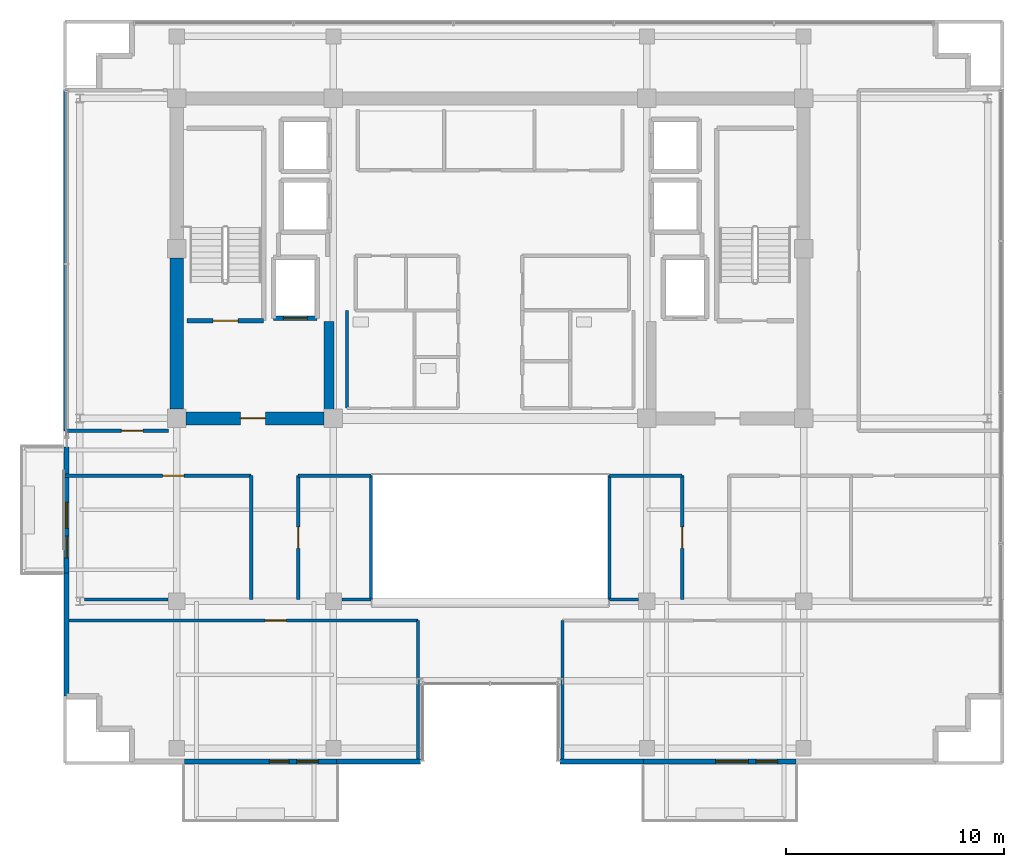
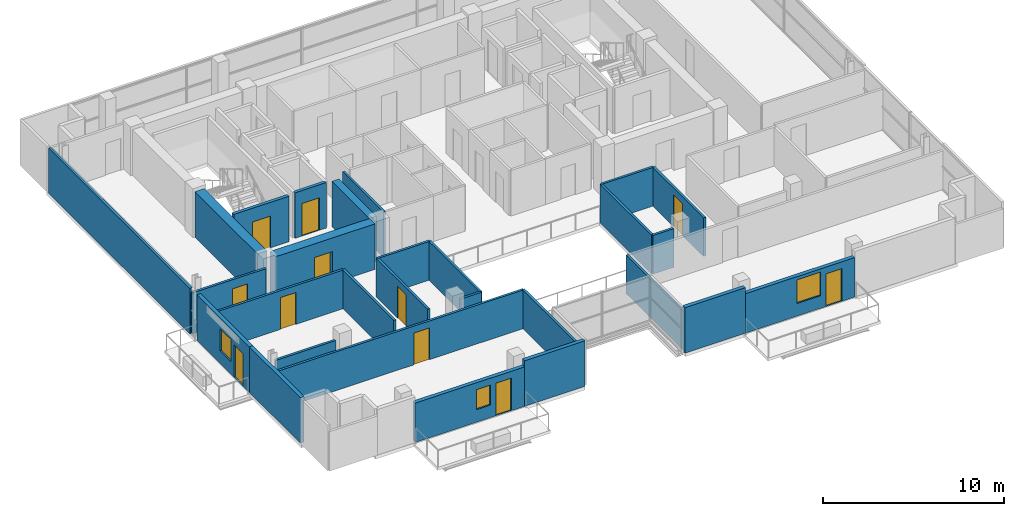
# One storey, part 15 of 21: 28 walls, 11 doors, 3 windows, 14 openings.
"""IFC4 building model written with IfcOpenShell, lengths in metres."""

import ifcopenshell
import ifcopenshell.guid

model = None  # the IFC model being written
_history = None  # IfcOwnerHistory: only IFC2X3 demands one
_inside = {}  # id of a spatial element -> (the spatial element, [elements in it])
_under = {}  # id of a project, library or spatial element -> (it, [spatial elements below it])
_declared = {}  # id of a project -> (the project, [libraries it declares])
_typed = {}  # id of a type object -> (the type object, [elements of that type])
_made_of = {}  # id of a material, layer set ... -> (it, [elements and type objects made of it])


def new_model(schema):
    """Start an empty IFC model of exactly this schema.

    Asked for "IFC4X3", IfcOpenShell would pick the latest addendum, in which some entities
    have other attributes; the version numbers below select the first issue.
    IFC2X3 requires an IfcOwnerHistory on every rooted entity: one is made here for all.
    """
    global model, _history
    if schema == "IFC4X3":
        model = ifcopenshell.file(schema_version=(4, 3, 0, 0))
    else:
        model = ifcopenshell.file(schema=schema)
    _inside.clear()
    _under.clear()
    _declared.clear()
    _typed.clear()
    _made_of.clear()
    _history = None
    if model.schema == "IFC2X3":
        org = make("IfcOrganization", Name="unknown")
        user = make(
            "IfcPersonAndOrganization",
            ThePerson=make("IfcPerson", FamilyName="unknown"),
            TheOrganization=org,
        )
        app = make(
            "IfcApplication",
            ApplicationDeveloper=org,
            Version="unknown",
            ApplicationFullName="unknown",
            ApplicationIdentifier="unknown",
        )
        _history = make(
            "IfcOwnerHistory",
            OwningUser=user,
            OwningApplication=app,
            ChangeAction="ADDED",
            CreationDate=0,
        )
    return model


def make(cls, **values):
    """One entity of the class cls with the attributes given. An attribute that is None is left unset."""
    return model.create_entity(
        cls, **{name: value for name, value in values.items() if value is not None}
    )


def rooted(cls, **values):
    """An entity with a GlobalId (a new one), such as an element, a storey or a relation."""
    return make(cls, GlobalId=ifcopenshell.guid.new(), OwnerHistory=_history, **values)


def si_unit(unit_type, name, prefix=None):
    """IfcSIUnit, for example si_unit("LENGTHUNIT", "METRE", prefix="MILLI")."""
    return make("IfcSIUnit", UnitType=unit_type, Prefix=prefix, Name=name)


def assignment(units):
    """IfcUnitAssignment: the units of a project."""
    return None if units is None else make("IfcUnitAssignment", Units=units)


def point(xyz):
    """IfcCartesianPoint."""
    return None if xyz is None else make("IfcCartesianPoint", Coordinates=xyz)


def direction(xyz):
    """IfcDirection."""
    return None if xyz is None else make("IfcDirection", DirectionRatios=xyz)


def frame(location, z_axis=None, x_axis=None):
    """IfcAxis2Placement3D, a coordinate frame: its origin and axes. An axis left out is left unset."""
    return make(
        "IfcAxis2Placement3D",
        Location=point(location),
        Axis=direction(z_axis),
        RefDirection=direction(x_axis),
    )


def frame_2d(location, x_axis=None):
    """IfcAxis2Placement2D, a coordinate frame in the plane: its origin and x axis."""
    return make(
        "IfcAxis2Placement2D", Location=point(location), RefDirection=direction(x_axis)
    )


def origin():
    """The frame at (0, 0, 0) with its axes left unset."""
    return frame((0.0, 0.0, 0.0))


def place(relative_to, where):
    """IfcLocalPlacement: puts the frame where relative to a parent placement (None: the world)."""
    return make(
        "IfcLocalPlacement", PlacementRelTo=relative_to, RelativePlacement=where
    )


def context(
    kind, dimensions, precision=None, world=None, true_north=None, identifier=None
):
    """IfcGeometricRepresentationContext, for example the 3D "Model" context."""
    return make(
        "IfcGeometricRepresentationContext",
        ContextIdentifier=identifier,
        ContextType=kind,
        CoordinateSpaceDimension=dimensions,
        Precision=precision,
        WorldCoordinateSystem=world,
        TrueNorth=true_north,
    )


def subcontext(parent, identifier, kind, view, scale=None):
    """IfcGeometricRepresentationSubContext, for example "Body" below "Model"."""
    return make(
        "IfcGeometricRepresentationSubContext",
        ContextIdentifier=identifier,
        ContextType=kind,
        ParentContext=parent,
        TargetScale=scale,
        TargetView=view,
    )


def project(units=None, contexts=None):
    """IfcProject with its units and contexts."""
    return rooted(
        "IfcProject",
        Name="project",
        RepresentationContexts=contexts,
        UnitsInContext=assignment(units),
    )


def spatial(cls, under=None, at=None, **own):
    """A site, building, storey or space (cls), placed at a placement, below another one or the project."""
    s = rooted(cls, ObjectPlacement=at, **own)
    if under is not None:
        _under.setdefault(under.id(), (under, []))[1].append(s)
    return s


def profile(cls, at=None, kind="AREA", **sizes):
    """A parametric profile (cls). Its sizes go by their IFC names, for example OverallWidth=200.0."""
    return make(cls, ProfileType=kind, Position=at, **sizes)


def rectangle(**sizes):
    """IfcRectangleProfileDef."""
    return profile("IfcRectangleProfileDef", **sizes)


def extrude(swept, where, along, depth):
    """IfcExtrudedAreaSolid: the profile swept, set in the frame where, extruded along a direction by depth."""
    return make(
        "IfcExtrudedAreaSolid",
        SweptArea=swept,
        Position=where,
        ExtrudedDirection=direction(along),
        Depth=depth,
    )


def shape(context_of_items, identifier, shape_type, items):
    """IfcShapeRepresentation: the items that make up one representation, for example the "Body"."""
    return make(
        "IfcShapeRepresentation",
        ContextOfItems=context_of_items,
        RepresentationIdentifier=identifier,
        RepresentationType=shape_type,
        Items=items,
    )


def source(mapping_origin, context_of_items, identifier, shape_type, items):
    """IfcRepresentationMap: a shape defined once, which mapped items show again and again."""
    return make(
        "IfcRepresentationMap",
        MappingOrigin=mapping_origin,
        MappedRepresentation=shape(context_of_items, identifier, shape_type, items),
    )


def transform(
    local_origin,
    x_axis=None,
    y_axis=None,
    z_axis=None,
    scale=None,
    scale2=None,
    scale3=None,
    uniform=True,
):
    """IfcCartesianTransformationOperator3D, or its non-uniform kind. x_axis, y_axis, z_axis: its Axis1, 2, 3."""
    if uniform:
        return make(
            "IfcCartesianTransformationOperator3D",
            Axis1=direction(x_axis),
            Axis2=direction(y_axis),
            LocalOrigin=point(local_origin),
            Scale=scale,
            Axis3=direction(z_axis),
        )
    return make(
        "IfcCartesianTransformationOperator3DnonUniform",
        Axis1=direction(x_axis),
        Axis2=direction(y_axis),
        LocalOrigin=point(local_origin),
        Scale=scale,
        Axis3=direction(z_axis),
        Scale2=scale2,
        Scale3=scale3,
    )


def mapped(mapping_source, mapping_target):
    """IfcMappedItem: shows the shape of a source again, moved by a transform."""
    return make(
        "IfcMappedItem", MappingSource=mapping_source, MappingTarget=mapping_target
    )


def material(Name=None, Category=None):
    """IfcMaterial."""
    return make("IfcMaterial", Name=Name, Category=Category)


def layer(
    of_material, thickness, ventilated=None, Name=None, Category=None, Priority=None
):
    """IfcMaterialLayer: one layer of a wall or slab, of a material (None: an air gap)."""
    return make(
        "IfcMaterialLayer",
        Material=of_material,
        LayerThickness=thickness,
        IsVentilated=ventilated,
        Name=Name,
        Category=Category,
        Priority=Priority,
    )


def layer_set(layers, Name=None):
    """IfcMaterialLayerSet."""
    return make("IfcMaterialLayerSet", MaterialLayers=layers, LayerSetName=Name)


def made_of(thing, what):
    """Note that an element or type object is made of a material, layer set ...; save() writes the relation."""
    if what is not None:
        _made_of.setdefault(what.id(), (what, []))[1].append(thing)
    return thing


def type_object(cls, material=None, **own):
    """A type object (cls), such as IfcWallType, which elements share."""
    return made_of(rooted(cls, **own), material)


def element(
    cls,
    number,
    at=None,
    inside=None,
    cuts=None,
    type_object=None,
    material=None,
    context=None,
    identifier="Body",
    shape_type=None,
    held_by="IfcProductDefinitionShape",
    body=None,
    shapes=None,
    **own,
):
    """One element of the class cls, such as IfcWall. Its Tag is "e" and its number.

    at: its placement. inside: the storey or other place that contains it. cuts: it is an
    opening in that element (IfcRelVoidsElement). A single representation is given by context,
    identifier, shape_type and body (its items); several are given by shapes. held_by: the class
    of the entity that holds the representations. save() writes the other relations.
    """
    e = rooted(cls, Tag="e%d" % number, ObjectPlacement=at, **own)
    if body is not None:
        shapes = [shape(context, identifier, shape_type, body)]
    if shapes is not None:
        e.Representation = make(held_by, Representations=shapes)
    if inside is not None:
        _inside.setdefault(inside.id(), (inside, []))[1].append(e)
    if cuts is not None:
        rooted(
            "IfcRelVoidsElement", RelatingBuildingElement=cuts, RelatedOpeningElement=e
        )
    if type_object is not None:
        _typed.setdefault(type_object.id(), (type_object, []))[1].append(e)
    return made_of(e, material)


def fill(opening, filler):
    """IfcRelFillsElement: the door or window that sits in an opening."""
    return rooted(
        "IfcRelFillsElement",
        RelatingOpeningElement=opening,
        RelatedBuildingElement=filler,
    )


def aggregate(whole, parts):
    """IfcRelAggregates: a whole, such as a stair, and the parts it consists of."""
    return rooted("IfcRelAggregates", RelatingObject=whole, RelatedObjects=parts)


def save(model, path):
    """Write the relations noted so far, then the file.

    IfcRelAggregates (storeys below a building ...), IfcRelContainedInSpatialStructure (elements
    in a storey), IfcRelDefinesByType, IfcRelAssociatesMaterial and IfcRelDeclares: one each for
    every whole, place, type object, material and project.
    """
    for whole, parts in _under.values():
        aggregate(whole, parts)
    for where, things in _inside.values():
        rooted(
            "IfcRelContainedInSpatialStructure",
            RelatedElements=things,
            RelatingStructure=where,
        )
    for kind, things in _typed.values():
        rooted("IfcRelDefinesByType", RelatedObjects=things, RelatingType=kind)
    for what, things in _made_of.values():
        rooted("IfcRelAssociatesMaterial", RelatedObjects=things, RelatingMaterial=what)
    for by, libraries in _declared.values():
        rooted("IfcRelDeclares", RelatingContext=by, RelatedDefinitions=libraries)
    model.write(path)


model = new_model("IFC4")

# Units and contexts
model_context = context("Model", 3, precision=1e-05, world=origin(), true_north=direction((0.0, 1.0)))
body_context = subcontext(model_context, "Body", "Model", "MODEL_VIEW")
ifc_project = project(units=[si_unit("LENGTHUNIT", "METRE"), si_unit("AREAUNIT", "SQUARE_METRE"), si_unit("VOLUMEUNIT", "CUBIC_METRE"), si_unit("PLANEANGLEUNIT", "RADIAN"), si_unit("MASSUNIT", "GRAM", prefix="KILO")], contexts=[model_context])

# Site, building, storey
site_placement = place(None, origin())
site = spatial("IfcSite", under=ifc_project, at=site_placement, CompositionType="ELEMENT")
building_placement = place(site_placement, origin())
building = spatial("IfcBuilding", under=site, at=building_placement, Name="Zarnakvel Exchange Tower", CompositionType="ELEMENT")
storey_placement = place(building_placement, frame((0.0, 0.0, 248.5)))
storey = spatial("IfcBuildingStorey", under=building, at=storey_placement, Name="L70", CompositionType="ELEMENT", Elevation=248.5)

# Wall
ifc_material_1 = material(Name="Concrete C50/60", Category="concrete")
ifc_layer_1 = layer(ifc_material_1, 0.60009765625)
ifc_layer_set_1 = layer_set([ifc_layer_1], Name="Concrete C50/60")
wall_type_1 = type_object("IfcWallType", Name="CW-C5", PredefinedType="SHEAR", material=ifc_layer_set_1)
wall_1_placement = place(storey_placement, frame((-14.39990234375, -0.77490234375, 0.0), z_axis=(0.0, 0.0, 1.0), x_axis=(0.0, 1.0, 0.0)))
element("IfcWall", 1, at=wall_1_placement, inside=storey, type_object=wall_type_1, Name="L70 Rear Core Shear Wall W1 (CW-C5)", PredefinedType="SHEAR", context=body_context, shape_type="SweptSolid", body=[
    extrude(rectangle(XDim=6.949951171875, YDim=0.60009765625, at=frame_2d((3.47509765625, 0.0))), origin(), (0.0, 0.0, 1.0), 3.074951171875),
])

# Wall, opening, door
wall_2_placement = place(storey_placement, frame((-7.625, -1.199951171875, 0.0), z_axis=(0.0, 0.0, 1.0), x_axis=(-1.0, 0.0, 0.0)))
wall_2 = element("IfcWall", 2, at=wall_2_placement, inside=storey, type_object=wall_type_1, Name="L70 Rear Core Shear Wall SW (CW-C5)", PredefinedType="SHEAR", context=body_context, shape_type="SweptSolid", body=[
    extrude(rectangle(XDim=6.35009765625, YDim=0.60009765625, at=frame_2d((3.175048828125, 0.0))), origin(), (0.0, 0.0, 1.0), 3.074951171875),
])
opening_1_placement = place(wall_2_placement, frame((2.699951171875, 0.0, 0.0)))
opening_1 = element("IfcOpeningElement", 3, at=opening_1_placement, cuts=wall_2, Name="Opening D-L70-03", PredefinedType="OPENING", context=body_context, shape_type="SweptSolid", body=[
    extrude(rectangle(XDim=1.14990234375, YDim=2.14990234375, at=frame_2d((0.574951171875, 1.074951171875))), frame((0.0, 0.31005859375, 0.0), z_axis=(0.0, -1.0, 0.0), x_axis=(1.0, 0.0, 0.0)), (0.0, 0.0, 1.0), 0.6201171875),
])
ifc_material_2 = material(Name="Painted Galvanised Steel S355", Category="steel")
door_type_1 = type_object("IfcDoorType", Name="DT-04", OperationType="NOTDEFINED", PredefinedType="DOOR", material=ifc_material_2)
shared_shape_1 = source(origin(), body_context, "Body", "SweptSolid", [
    extrude(rectangle(XDim=1.14990234375, YDim=2.14990234375, at=frame_2d((0.574951171875, 1.074951171875))), frame((0.0, 0.02490234375, 0.0), z_axis=(0.0, -1.0, 0.0), x_axis=(1.0, 0.0, 0.0)), (0.0, 0.0, 1.0), 0.050048828125),
])
door_1_placement = place(opening_1_placement, origin())
door_1 = element("IfcDoor", 4, at=door_1_placement, inside=storey, type_object=door_type_1, Name="L70 Firefighting Lobby West Door D-L70-03", OperationType="SINGLE_SWING_LEFT", OverallHeight=2.14990234375, OverallWidth=1.14990234375, PredefinedType="DOOR", context=body_context, shape_type="MappedRepresentation", body=[
    mapped(shared_shape_1, transform((0.0, 0.0, 0.0), x_axis=(1.0, 0.0, 0.0), y_axis=(0.0, 1.0, 0.0), z_axis=(0.0, 0.0, 1.0), scale=1.0)),
])
fill(opening_1, door_1)

# Wall
ifc_layer_2 = layer(ifc_material_1, 0.449951171875)
ifc_layer_set_2 = layer_set([ifc_layer_2], Name="Concrete C50/60")
wall_type_2 = type_object("IfcWallType", Name="CW-C6", PredefinedType="SHEAR", material=ifc_layer_set_2)
wall_3_placement = place(storey_placement, frame((-7.39990234375, -0.89990234375, 0.0), z_axis=(0.0, 0.0, 1.0), x_axis=(0.0, 1.0, 0.0)))
element("IfcWall", 5, at=wall_3_placement, inside=storey, type_object=wall_type_2, Name="L70 Rear Core Shear Wall IW (CW-C6)", PredefinedType="SHEAR", context=body_context, shape_type="SweptSolid", body=[
    extrude(rectangle(XDim=4.14990234375, YDim=0.449951171875, at=frame_2d((2.074951171875, 0.0))), origin(), (0.0, 0.0, 1.0), 3.074951171875),
])

# Wall, openings, door, window
ifc_material_3 = material(Name="Precast concrete C40/50", Category="concrete")
ifc_layer_3 = layer(ifc_material_3, 0.239990234375)
ifc_layer_set_3 = layer_set([ifc_layer_3], Name="Precast concrete C40/50")
wall_type_3 = type_object("IfcWallType", Name="EW-02", PredefinedType="SOLIDWALL", material=ifc_layer_set_3)
wall_4_placement = place(storey_placement, frame((-7.050048828125, -16.9599609375, 0.0), z_axis=(0.0, 0.0, 1.0), x_axis=(-1.0, 0.0, 0.0)))
wall_4 = element("IfcWall", 6, at=wall_4_placement, inside=storey, type_object=wall_type_3, Name="L70 Exterior Precast Spandrel Wall EW-BAL-L70-SW (EW-02)", PredefinedType="SOLIDWALL", context=body_context, shape_type="SweptSolid", body=[
    extrude(rectangle(XDim=7.0, YDim=0.239990234375, at=frame_2d((3.5, 0.0))), origin(), (0.0, 0.0, 1.0), 2.6650390625),
])
opening_2_placement = place(wall_4_placement, frame((0.840087890625, 0.0, 0.0)))
opening_2 = element("IfcOpeningElement", 7, at=opening_2_placement, cuts=wall_4, Name="Opening BD-L70-01", PredefinedType="OPENING", context=body_context, shape_type="SweptSolid", body=[
    extrude(rectangle(XDim=1.0, YDim=2.199951171875, at=frame_2d((0.5, 1.10009765625))), frame((0.0, 0.1298828125, 0.0), z_axis=(0.0, -1.0, 0.0), x_axis=(1.0, 0.0, 0.0)), (0.0, 0.0, 1.0), 0.260009765625),
])
opening_3_placement = place(wall_4_placement, frame((2.18994140625, 0.0, 0.85009765625)))
opening_3 = element("IfcOpeningElement", 8, at=opening_3_placement, cuts=wall_4, Name="Opening WN-06", PredefinedType="OPENING", context=body_context, shape_type="SweptSolid", body=[
    extrude(rectangle(XDim=0.89990234375, YDim=1.35009765625, at=frame_2d((0.449951171875, 0.675048828125))), frame((0.0, 0.1298828125, 0.0), z_axis=(0.0, -1.0, 0.0), x_axis=(1.0, 0.0, 0.0)), (0.0, 0.0, 1.0), 0.260009765625),
])
ifc_material_4 = material(Name="Architectural Bronze Anodised Aluminium", Category="aluminium")
door_type_2 = type_object("IfcDoorType", Name="DT-09", OperationType="NOTDEFINED", PredefinedType="DOOR", material=ifc_material_4)
shared_shape_2 = source(origin(), body_context, "Body", "SweptSolid", [
    extrude(rectangle(XDim=1.0, YDim=2.199951171875, at=frame_2d((0.5, 1.10009765625))), frame((0.0, 0.02490234375, 0.0), z_axis=(0.0, -1.0, 0.0), x_axis=(1.0, 0.0, 0.0)), (0.0, 0.0, 1.0), 0.050048828125),
])
door_2_placement = place(opening_2_placement, origin())
door_2 = element("IfcDoor", 9, at=door_2_placement, inside=storey, type_object=door_type_2, Name="L70 Planted Loggia Balcony Door BD-L70-01", OperationType="SINGLE_SWING_RIGHT", OverallHeight=2.199951171875, OverallWidth=1.0, PredefinedType="DOOR", context=body_context, shape_type="MappedRepresentation", body=[
    mapped(shared_shape_2, transform((0.0, 0.0, 0.0), x_axis=(1.0, 0.0, 0.0), y_axis=(0.0, 1.0, 0.0), z_axis=(0.0, 0.0, 1.0), scale=1.0)),
])
fill(opening_2, door_2)
ifc_material_5 = material(Name="Double Low-E Laminated Vision Glass", Category="glass")
window_type_1 = type_object("IfcWindowType", Name="WN-06", PartitioningType="SINGLE_PANEL", PredefinedType="WINDOW", material=ifc_material_5)
shared_shape_3 = source(origin(), body_context, "Body", "SweptSolid", [
    extrude(rectangle(XDim=0.89990234375, YDim=1.35009765625, at=frame_2d((0.449951171875, 0.675048828125))), frame((0.0, 0.030029296875, 0.0), z_axis=(0.0, -1.0, 0.0), x_axis=(1.0, 0.0, 0.0)), (0.0, 0.0, 1.0), 0.06005859375),
])
window_1_placement = place(opening_3_placement, origin())
window_1 = element("IfcWindow", 10, at=window_1_placement, inside=storey, type_object=window_type_1, Name="L70 Loggia Daylight Window (WN-06)", OverallHeight=1.35009765625, OverallWidth=0.89990234375, PartitioningType="SINGLE_PANEL", PredefinedType="WINDOW", context=body_context, shape_type="MappedRepresentation", body=[
    mapped(shared_shape_3, transform((0.0, 0.0, 0.0), x_axis=(1.0, 0.0, 0.0), y_axis=(0.0, 1.0, 0.0), z_axis=(0.0, 0.0, 1.0), scale=1.0)),
])
fill(opening_3, window_1)

wall_5_placement = place(storey_placement, frame((14.050048828125, -16.9599609375, 0.0), z_axis=(0.0, 0.0, 1.0), x_axis=(-1.0, 0.0, 0.0)))
wall_5 = element("IfcWall", 11, at=wall_5_placement, inside=storey, type_object=wall_type_3, Name="L70 Exterior Precast Spandrel Wall EW-BAL-L70-SE (EW-02)", PredefinedType="SOLIDWALL", context=body_context, shape_type="SweptSolid", body=[
    extrude(rectangle(XDim=7.0, YDim=0.239990234375, at=frame_2d((3.5, 0.0))), origin(), (0.0, 0.0, 1.0), 2.6650390625),
])
opening_4_placement = place(wall_5_placement, frame((0.840087890625, 0.0, 0.0)))
opening_4 = element("IfcOpeningElement", 12, at=opening_4_placement, cuts=wall_5, Name="Opening BD-L70-02", PredefinedType="OPENING", context=body_context, shape_type="SweptSolid", body=[
    extrude(rectangle(XDim=1.0, YDim=2.199951171875, at=frame_2d((0.5, 1.10009765625))), frame((0.0, 0.1298828125, 0.0), z_axis=(0.0, -1.0, 0.0), x_axis=(1.0, 0.0, 0.0)), (0.0, 0.0, 1.0), 0.260009765625),
])
opening_5_placement = place(wall_5_placement, frame((2.18994140625, 0.0, 0.85009765625)))
opening_5 = element("IfcOpeningElement", 13, at=opening_5_placement, cuts=wall_5, Name="Opening WN-03", PredefinedType="OPENING", context=body_context, shape_type="SweptSolid", body=[
    extrude(rectangle(XDim=1.5, YDim=1.60009765625, at=frame_2d((0.75, 0.800048828125))), frame((0.0, 0.1298828125, 0.0), z_axis=(0.0, -1.0, 0.0), x_axis=(1.0, 0.0, 0.0)), (0.0, 0.0, 1.0), 0.260009765625),
])
door_3_placement = place(opening_4_placement, origin())
door_3 = element("IfcDoor", 14, at=door_3_placement, inside=storey, type_object=door_type_2, Name="L70 Planted Loggia Balcony Door BD-L70-02", OperationType="SINGLE_SWING_LEFT", OverallHeight=2.199951171875, OverallWidth=1.0, PredefinedType="DOOR", context=body_context, shape_type="MappedRepresentation", body=[
    mapped(shared_shape_2, transform((0.0, 0.0, 0.0), x_axis=(1.0, 0.0, 0.0), y_axis=(0.0, 1.0, 0.0), z_axis=(0.0, 0.0, 1.0), scale=1.0)),
])
fill(opening_4, door_3)
window_type_2 = type_object("IfcWindowType", Name="WN-03", PartitioningType="SINGLE_PANEL", PredefinedType="WINDOW", material=ifc_material_5)
shared_shape_4 = source(origin(), body_context, "Body", "SweptSolid", [
    extrude(rectangle(XDim=1.5, YDim=1.60009765625, at=frame_2d((0.75, 0.800048828125))), frame((0.0, 0.030029296875, 0.0), z_axis=(0.0, -1.0, 0.0), x_axis=(1.0, 0.0, 0.0)), (0.0, 0.0, 1.0), 0.06005859375),
])
window_2_placement = place(opening_5_placement, origin())
window_2 = element("IfcWindow", 15, at=window_2_placement, inside=storey, type_object=window_type_2, Name="L70 Loggia Daylight Window (WN-03)", OverallHeight=1.60009765625, OverallWidth=1.5, PartitioningType="SINGLE_PANEL", PredefinedType="WINDOW", context=body_context, shape_type="MappedRepresentation", body=[
    mapped(shared_shape_4, transform((0.0, 0.0, 0.0), x_axis=(1.0, 0.0, 0.0), y_axis=(0.0, 1.0, 0.0), z_axis=(0.0, 0.0, 1.0), scale=1.0)),
])
fill(opening_5, window_2)

wall_6_placement = place(storey_placement, frame((-19.4599609375, -8.300048828125, 0.0), z_axis=(0.0, 0.0, 1.0), x_axis=(0.0, 1.0, 0.0)))
wall_6 = element("IfcWall", 16, at=wall_6_placement, inside=storey, type_object=wall_type_3, Name="L70 Exterior Precast Spandrel Wall EW-BAL-L70-W (EW-02)", PredefinedType="SOLIDWALL", context=body_context, shape_type="SweptSolid", body=[
    extrude(rectangle(XDim=5.800048828125, YDim=0.239990234375, at=frame_2d((2.89990234375, 0.0))), origin(), (0.0, 0.0, 1.0), 3.074951171875),
])
opening_6_placement = place(wall_6_placement, frame((0.696044921875, 0.0, 0.0)))
opening_6 = element("IfcOpeningElement", 17, at=opening_6_placement, cuts=wall_6, Name="Opening BD-L70-03", PredefinedType="OPENING", context=body_context, shape_type="SweptSolid", body=[
    extrude(rectangle(XDim=1.0, YDim=2.199951171875, at=frame_2d((0.5, 1.10009765625))), frame((0.0, 0.1298828125, 0.0), z_axis=(0.0, -1.0, 0.0), x_axis=(1.0, 0.0, 0.0)), (0.0, 0.0, 1.0), 0.260009765625),
])
opening_7_placement = place(wall_6_placement, frame((2.0458984375, 0.0, 0.85009765625)))
opening_7 = element("IfcOpeningElement", 18, at=opening_7_placement, cuts=wall_6, Name="Opening WN-04", PredefinedType="OPENING", context=body_context, shape_type="SweptSolid", body=[
    extrude(rectangle(XDim=1.199951171875, YDim=1.5, at=frame_2d((0.60009765625, 0.75))), frame((0.0, 0.1298828125, 0.0), z_axis=(0.0, -1.0, 0.0), x_axis=(1.0, 0.0, 0.0)), (0.0, 0.0, 1.0), 0.260009765625),
])
door_4_placement = place(opening_6_placement, origin())
door_4 = element("IfcDoor", 19, at=door_4_placement, inside=storey, type_object=door_type_2, Name="L70 Planted Loggia Balcony Door BD-L70-03", OperationType="SINGLE_SWING_RIGHT", OverallHeight=2.199951171875, OverallWidth=1.0, PredefinedType="DOOR", context=body_context, shape_type="MappedRepresentation", body=[
    mapped(shared_shape_2, transform((0.0, 0.0, 0.0), x_axis=(1.0, 0.0, 0.0), y_axis=(0.0, 1.0, 0.0), z_axis=(0.0, 0.0, 1.0), scale=1.0)),
])
fill(opening_6, door_4)
window_type_3 = type_object("IfcWindowType", Name="WN-04", PartitioningType="SINGLE_PANEL", PredefinedType="WINDOW", material=ifc_material_5)
shared_shape_5 = source(origin(), body_context, "Body", "SweptSolid", [
    extrude(rectangle(XDim=1.199951171875, YDim=1.5, at=frame_2d((0.60009765625, 0.75))), frame((0.0, 0.030029296875, 0.0), z_axis=(0.0, -1.0, 0.0), x_axis=(1.0, 0.0, 0.0)), (0.0, 0.0, 1.0), 0.06005859375),
])
window_3_placement = place(opening_7_placement, origin())
window_3 = element("IfcWindow", 20, at=window_3_placement, inside=storey, type_object=window_type_3, Name="L70 Loggia Daylight Window (WN-04)", OverallHeight=1.5, OverallWidth=1.199951171875, PartitioningType="SINGLE_PANEL", PredefinedType="WINDOW", context=body_context, shape_type="MappedRepresentation", body=[
    mapped(shared_shape_5, transform((0.0, 0.0, 0.0), x_axis=(1.0, 0.0, 0.0), y_axis=(0.0, 1.0, 0.0), z_axis=(0.0, 0.0, 1.0), scale=1.0)),
])
fill(opening_7, window_3)

# Walls
wall_7_placement = place(storey_placement, frame((-19.4599609375, -8.300048828125, 0.0), z_axis=(0.0, 0.0, 1.0), x_axis=(0.0, -1.0, 0.0)))
element("IfcWall", 21, at=wall_7_placement, inside=storey, type_object=wall_type_3, Name="L70 Exterior Precast Spandrel Wall EWC-L70-01 (EW-02)", PredefinedType="SOLIDWALL", context=body_context, shape_type="SweptSolid", body=[
    extrude(rectangle(XDim=5.659912109375, YDim=0.239990234375, at=frame_2d((2.830078125, 0.0))), origin(), (0.0, 0.0, 1.0), 3.074951171875),
])
for number, where, z_axis, x_axis, name in (
    (22, (3.199951171875, -16.9599609375, 0.0), (0.0, 0.0, 1.0), (1.0, 0.0, 0.0), "L70 Exterior Precast Spandrel Wall EWC-L70-16 (EW-02)"),
    (23, (-7.050048828125, -16.9599609375, 0.0), (0.0, 0.0, 1.0), (1.0, 0.0, 0.0), "L70 Exterior Precast Spandrel Wall EWC-L70-21 (EW-02)"),
):
    element("IfcWall", number, at=place(storey_placement, frame(where, z_axis=z_axis, x_axis=x_axis)), inside=storey, type_object=wall_type_3, Name=name, PredefinedType="SOLIDWALL", context=body_context, shape_type="SweptSolid", body=[
        extrude(rectangle(XDim=3.85009765625, YDim=0.239990234375, at=frame_2d((1.925048828125, 0.0))), origin(), (0.0, 0.0, 1.0), 3.074951171875),
    ])
ifc_material_6 = material(Name="Fire-Rated Gypsum Stud Partition", Category="gypsum")
ifc_layer_4 = layer(ifc_material_6, 0.14990234375)
ifc_layer_set_4 = layer_set([ifc_layer_4], Name="Fire-Rated Gypsum Stud Partition")
wall_type_4 = type_object("IfcWallType", Name="PT-01", PredefinedType="PARTITIONING", material=ifc_layer_set_4)
wall_8_placement = place(storey_placement, frame((-14.794921875, -9.52001953125, 0.0), z_axis=(0.0, 0.0, 1.0), x_axis=(-1.0, 0.0, 0.0)))
element("IfcWall", 24, at=wall_8_placement, inside=storey, type_object=wall_type_4, Name="L70 Partition Wall PWALL-L70-044 (PT-01)", PredefinedType="PARTITIONING", context=body_context, shape_type="SweptSolid", body=[
    extrude(rectangle(XDim=3.84765625, YDim=0.14990234375, at=frame_2d((1.923828125, 0.0))), origin(), (0.0, 0.0, 1.0), 2.614990234375),
])

# Wall, opening, door
wall_9_placement = place(storey_placement, frame((-19.530029296875, -3.830078125, 0.0), z_axis=(0.0, 0.0, 1.0), x_axis=(1.0, 0.0, 0.0)))
wall_9 = element("IfcWall", 25, at=wall_9_placement, inside=storey, type_object=wall_type_4, Name="L70 Partition Wall PWALL-L70-045 (PT-01)", PredefinedType="PARTITIONING", context=body_context, shape_type="SweptSolid", body=[
    extrude(rectangle(XDim=8.550048828125, YDim=0.14990234375, at=frame_2d((4.27490234375, 0.0))), origin(), (0.0, 0.0, 1.0), 2.614990234375),
])
opening_8_placement = place(wall_9_placement, frame((4.485107421875, 0.0, 0.0)))
opening_8 = element("IfcOpeningElement", 26, at=opening_8_placement, cuts=wall_9, Name="Opening D-L70-17", PredefinedType="OPENING", context=body_context, shape_type="SweptSolid", body=[
    extrude(rectangle(XDim=0.97998046875, YDim=2.14990234375, at=frame_2d((0.489990234375, 1.074951171875))), frame((0.0, 0.0849609375, 0.0), z_axis=(0.0, -1.0, 0.0), x_axis=(1.0, 0.0, 0.0)), (0.0, 0.0, 1.0), 0.169921875),
])
ifc_material_7 = material(Name="Timber Acoustic Veneer", Category="wood")
door_type_3 = type_object("IfcDoorType", Name="DT-05", OperationType="NOTDEFINED", PredefinedType="DOOR", material=ifc_material_7)
shared_shape_6 = source(origin(), body_context, "Body", "SweptSolid", [
    extrude(rectangle(XDim=0.97998046875, YDim=2.14990234375, at=frame_2d((0.489990234375, 1.074951171875))), frame((0.0, 0.02490234375, 0.0), z_axis=(0.0, -1.0, 0.0), x_axis=(1.0, 0.0, 0.0)), (0.0, 0.0, 1.0), 0.050048828125),
])
door_5_placement = place(opening_8_placement, origin())
door_5 = element("IfcDoor", 27, at=door_5_placement, inside=storey, type_object=door_type_3, Name="L70 Equities Trading Floor Door D-L70-17", OperationType="SINGLE_SWING_LEFT", OverallHeight=2.14990234375, OverallWidth=0.97998046875, PredefinedType="DOOR", context=body_context, shape_type="MappedRepresentation", body=[
    mapped(shared_shape_6, transform((0.0, 0.0, 0.0), x_axis=(1.0, 0.0, 0.0), y_axis=(0.0, 1.0, 0.0), z_axis=(0.0, 0.0, 1.0), scale=1.0)),
])
fill(opening_8, door_5)

# Wall
wall_10_placement = place(storey_placement, frame((-10.97998046875, -3.830078125, 0.0), z_axis=(0.0, 0.0, 1.0), x_axis=(0.0, -1.0, 0.0)))
element("IfcWall", 28, at=wall_10_placement, inside=storey, type_object=wall_type_4, Name="L70 Partition Wall PWALL-L70-047 (PT-01)", PredefinedType="PARTITIONING", context=body_context, shape_type="SweptSolid", body=[
    extrude(rectangle(XDim=5.68994140625, YDim=0.14990234375, at=frame_2d((2.844970703125, 0.0))), origin(), (0.0, 0.0, 1.0), 2.614990234375),
])

# Wall, opening, door
wall_11_placement = place(storey_placement, frame((-19.530029296875, -10.47998046875, 0.0), z_axis=(0.0, 0.0, 1.0), x_axis=(1.0, 0.0, 0.0)))
wall_11 = element("IfcWall", 29, at=wall_11_placement, inside=storey, type_object=wall_type_4, Name="L70 Partition Wall PWALL-L70-049 (PT-01)", PredefinedType="PARTITIONING", context=body_context, shape_type="SweptSolid", body=[
    extrude(rectangle(XDim=16.2099609375, YDim=0.14990234375, at=frame_2d((8.10498046875, 0.0))), origin(), (0.0, 0.0, 1.0), 2.614990234375),
])
opening_9_placement = place(wall_11_placement, frame((9.18994140625, 0.0, 0.0)))
opening_9 = element("IfcOpeningElement", 30, at=opening_9_placement, cuts=wall_11, Name="Opening D-L70-18", PredefinedType="OPENING", context=body_context, shape_type="SweptSolid", body=[
    extrude(rectangle(XDim=0.97998046875, YDim=2.14990234375, at=frame_2d((0.489990234375, 1.074951171875))), frame((0.0, 0.0849609375, 0.0), z_axis=(0.0, -1.0, 0.0), x_axis=(1.0, 0.0, 0.0)), (0.0, 0.0, 1.0), 0.169921875),
])
door_6_placement = place(opening_9_placement, origin())
door_6 = element("IfcDoor", 31, at=door_6_placement, inside=storey, type_object=door_type_3, Name="L70 Equities Trading Floor Door D-L70-18", OperationType="SINGLE_SWING_RIGHT", OverallHeight=2.14990234375, OverallWidth=0.97998046875, PredefinedType="DOOR", context=body_context, shape_type="MappedRepresentation", body=[
    mapped(shared_shape_6, transform((0.0, 0.0, 0.0), x_axis=(1.0, 0.0, 0.0), y_axis=(0.0, 1.0, 0.0), z_axis=(0.0, 0.0, 1.0), scale=1.0)),
])
fill(opening_9, door_6)

# Walls
for number, where, z_axis, x_axis, name in (
    (32, (-3.320068359375, -10.47998046875, 0.0), (0.0, 0.0, 1.0), (0.0, -1.0, 0.0), "L70 Partition Wall PWALL-L70-051 (PT-01)"),
    (33, (3.320068359375, -17.030029296875, 0.0), (0.0, 0.0, 1.0), (0.0, 1.0, 0.0), "L70 Partition Wall PWALL-L70-061 (PT-01)"),
):
    element("IfcWall", number, at=place(storey_placement, frame(where, z_axis=z_axis, x_axis=x_axis)), inside=storey, type_object=wall_type_4, Name=name, PredefinedType="PARTITIONING", context=body_context, shape_type="SweptSolid", body=[
        extrude(rectangle(XDim=6.550048828125, YDim=0.14990234375, at=frame_2d((3.27490234375, 0.0))), origin(), (0.0, 0.0, 1.0), 2.614990234375),
    ])
wall_12_placement = place(storey_placement, frame((-5.47998046875, -9.52001953125, 0.0), z_axis=(0.0, 0.0, 1.0), x_axis=(-1.0, 0.0, 0.0)))
element("IfcWall", 34, at=wall_12_placement, inside=storey, type_object=wall_type_4, Name="L70 Partition Wall PWALL-L70-063 (PT-01)", PredefinedType="PARTITIONING", context=body_context, shape_type="SweptSolid", body=[
    extrude(rectangle(XDim=1.324951171875, YDim=0.14990234375, at=frame_2d((0.66259765625, 0.0))), origin(), (0.0, 0.0, 1.0), 2.614990234375),
])
wall_13_placement = place(storey_placement, frame((-8.820068359375, -3.830078125, 0.0), z_axis=(0.0, 0.0, 1.0), x_axis=(1.0, 0.0, 0.0)))
element("IfcWall", 35, at=wall_13_placement, inside=storey, type_object=wall_type_4, Name="L70 Partition Wall PWALL-L70-064 (PT-01)", PredefinedType="PARTITIONING", context=body_context, shape_type="SweptSolid", body=[
    extrude(rectangle(XDim=3.340087890625, YDim=0.14990234375, at=frame_2d((1.669921875, 0.0))), origin(), (0.0, 0.0, 1.0), 2.614990234375),
])

# Wall, opening, door
wall_14_placement = place(storey_placement, frame((-8.820068359375, -9.52001953125, 0.0), z_axis=(0.0, 0.0, 1.0), x_axis=(0.0, 1.0, 0.0)))
wall_14 = element("IfcWall", 36, at=wall_14_placement, inside=storey, type_object=wall_type_4, Name="L70 Partition Wall PWALL-L70-065 (PT-01)", PredefinedType="PARTITIONING", context=body_context, shape_type="SweptSolid", body=[
    extrude(rectangle(XDim=5.68994140625, YDim=0.14990234375, at=frame_2d((2.844970703125, 0.0))), origin(), (0.0, 0.0, 1.0), 2.614990234375),
])
opening_10_placement = place(wall_14_placement, frame((2.35498046875, 0.0, 0.0)))
opening_10 = element("IfcOpeningElement", 37, at=opening_10_placement, cuts=wall_14, Name="Opening D-L70-22", PredefinedType="OPENING", context=body_context, shape_type="SweptSolid", body=[
    extrude(rectangle(XDim=0.97998046875, YDim=2.14990234375, at=frame_2d((0.489990234375, 1.074951171875))), frame((0.0, 0.0849609375, 0.0), z_axis=(0.0, -1.0, 0.0), x_axis=(1.0, 0.0, 0.0)), (0.0, 0.0, 1.0), 0.169921875),
])
door_7_placement = place(opening_10_placement, origin())
door_7 = element("IfcDoor", 38, at=door_7_placement, inside=storey, type_object=door_type_3, Name="L70 Staff Pantry Door D-L70-22", OperationType="SINGLE_SWING_RIGHT", OverallHeight=2.14990234375, OverallWidth=0.97998046875, PredefinedType="DOOR", context=body_context, shape_type="MappedRepresentation", body=[
    mapped(shared_shape_6, transform((0.0, 0.0, 0.0), x_axis=(1.0, 0.0, 0.0), y_axis=(0.0, 1.0, 0.0), z_axis=(0.0, 0.0, 1.0), scale=1.0)),
])
fill(opening_10, door_7)

# Walls
wall_15_placement = place(storey_placement, frame((-5.47998046875, -3.830078125, 0.0), z_axis=(0.0, 0.0, 1.0), x_axis=(0.0, -1.0, 0.0)))
element("IfcWall", 39, at=wall_15_placement, inside=storey, type_object=wall_type_4, Name="L70 Partition Wall PWALL-L70-066 (PT-01)", PredefinedType="PARTITIONING", context=body_context, shape_type="SweptSolid", body=[
    extrude(rectangle(XDim=5.68994140625, YDim=0.14990234375, at=frame_2d((2.844970703125, 0.0))), origin(), (0.0, 0.0, 1.0), 2.614990234375),
])
wall_16_placement = place(storey_placement, frame((6.804931640625, -9.52001953125, 0.0), z_axis=(0.0, 0.0, 1.0), x_axis=(-1.0, 0.0, 0.0)))
element("IfcWall", 40, at=wall_16_placement, inside=storey, type_object=wall_type_4, Name="L70 Partition Wall PWALL-L70-067 (PT-01)", PredefinedType="PARTITIONING", context=body_context, shape_type="SweptSolid", body=[
    extrude(rectangle(XDim=1.324951171875, YDim=0.14990234375, at=frame_2d((0.66259765625, 0.0))), origin(), (0.0, 0.0, 1.0), 2.614990234375),
])
wall_17_placement = place(storey_placement, frame((5.47998046875, -3.830078125, 0.0), z_axis=(0.0, 0.0, 1.0), x_axis=(1.0, 0.0, 0.0)))
element("IfcWall", 41, at=wall_17_placement, inside=storey, type_object=wall_type_4, Name="L70 Partition Wall PWALL-L70-068 (PT-01)", PredefinedType="PARTITIONING", context=body_context, shape_type="SweptSolid", body=[
    extrude(rectangle(XDim=3.340087890625, YDim=0.14990234375, at=frame_2d((1.669921875, 0.0))), origin(), (0.0, 0.0, 1.0), 2.614990234375),
])
wall_18_placement = place(storey_placement, frame((5.47998046875, -9.52001953125, 0.0), z_axis=(0.0, 0.0, 1.0), x_axis=(0.0, 1.0, 0.0)))
element("IfcWall", 42, at=wall_18_placement, inside=storey, type_object=wall_type_4, Name="L70 Partition Wall PWALL-L70-069 (PT-01)", PredefinedType="PARTITIONING", context=body_context, shape_type="SweptSolid", body=[
    extrude(rectangle(XDim=5.68994140625, YDim=0.14990234375, at=frame_2d((2.844970703125, 0.0))), origin(), (0.0, 0.0, 1.0), 2.614990234375),
])

# Wall, opening, door
wall_19_placement = place(storey_placement, frame((8.820068359375, -3.830078125, 0.0), z_axis=(0.0, 0.0, 1.0), x_axis=(0.0, -1.0, 0.0)))
wall_19 = element("IfcWall", 43, at=wall_19_placement, inside=storey, type_object=wall_type_4, Name="L70 Partition Wall PWALL-L70-070 (PT-01)", PredefinedType="PARTITIONING", context=body_context, shape_type="SweptSolid", body=[
    extrude(rectangle(XDim=5.68994140625, YDim=0.14990234375, at=frame_2d((2.844970703125, 0.0))), origin(), (0.0, 0.0, 1.0), 2.614990234375),
])
opening_11_placement = place(wall_19_placement, frame((2.35498046875, 0.0, 0.0)))
opening_11 = element("IfcOpeningElement", 44, at=opening_11_placement, cuts=wall_19, Name="Opening D-L70-23", PredefinedType="OPENING", context=body_context, shape_type="SweptSolid", body=[
    extrude(rectangle(XDim=0.97998046875, YDim=2.14990234375, at=frame_2d((0.489990234375, 1.074951171875))), frame((0.0, 0.0849609375, 0.0), z_axis=(0.0, -1.0, 0.0), x_axis=(1.0, 0.0, 0.0)), (0.0, 0.0, 1.0), 0.169921875),
])
door_8_placement = place(opening_11_placement, origin())
door_8 = element("IfcDoor", 45, at=door_8_placement, inside=storey, type_object=door_type_3, Name="L70 Risk Analytics Suite Door D-L70-23", OperationType="SINGLE_SWING_LEFT", OverallHeight=2.14990234375, OverallWidth=0.97998046875, PredefinedType="DOOR", context=body_context, shape_type="MappedRepresentation", body=[
    mapped(shared_shape_6, transform((0.0, 0.0, 0.0), x_axis=(1.0, 0.0, 0.0), y_axis=(0.0, 1.0, 0.0), z_axis=(0.0, 0.0, 1.0), scale=1.0)),
])
fill(opening_11, door_8)

wall_20_placement = place(storey_placement, frame((-14.77001953125, -1.77001953125, 0.0), z_axis=(0.0, 0.0, 1.0), x_axis=(-1.0, 0.0, 0.0)))
wall_20 = element("IfcWall", 46, at=wall_20_placement, inside=storey, type_object=wall_type_4, Name="L70 Partition Wall PWALL-L70-071 (PT-01)", PredefinedType="PARTITIONING", context=body_context, shape_type="SweptSolid", body=[
    extrude(rectangle(XDim=4.760009765625, YDim=0.14990234375, at=frame_2d((2.3798828125, 0.0))), origin(), (0.0, 0.0, 1.0), 2.764892578125),
])
opening_12_placement = place(wall_20_placement, frame((1.18994140625, 0.0, 0.0)))
opening_12 = element("IfcOpeningElement", 47, at=opening_12_placement, cuts=wall_20, Name="Opening D-L70-24", PredefinedType="OPENING", context=body_context, shape_type="SweptSolid", body=[
    extrude(rectangle(XDim=0.97998046875, YDim=2.14990234375, at=frame_2d((0.489990234375, 1.074951171875))), frame((0.0, 0.0849609375, 0.0), z_axis=(0.0, -1.0, 0.0), x_axis=(1.0, 0.0, 0.0)), (0.0, 0.0, 1.0), 0.169921875),
])
door_9_placement = place(opening_12_placement, origin())
door_9 = element("IfcDoor", 48, at=door_9_placement, inside=storey, type_object=door_type_3, Name="L70 Executive Office Door D-L70-24", OperationType="SINGLE_SWING_RIGHT", OverallHeight=2.14990234375, OverallWidth=0.97998046875, PredefinedType="DOOR", context=body_context, shape_type="MappedRepresentation", body=[
    mapped(shared_shape_6, transform((0.0, 0.0, 0.0), x_axis=(1.0, 0.0, 0.0), y_axis=(0.0, 1.0, 0.0), z_axis=(0.0, 0.0, 1.0), scale=1.0)),
])
fill(opening_12, door_9)

# Walls
wall_21_placement = place(storey_placement, frame((-19.530029296875, -1.77001953125, 0.0), z_axis=(0.0, 0.0, 1.0), x_axis=(0.0, 1.0, 0.0)))
element("IfcWall", 49, at=wall_21_placement, inside=storey, type_object=wall_type_4, Name="L70 Partition Wall PWALL-L70-073 (PT-01)", PredefinedType="PARTITIONING", context=body_context, shape_type="SweptSolid", body=[
    extrude(rectangle(XDim=15.64990234375, YDim=0.14990234375, at=frame_2d((7.824951171875, 0.0))), origin(), (0.0, 0.0, 1.0), 3.074951171875),
])
ifc_material_8 = material(Name="Moisture-Resistant Tile-Faced Partition", Category="gypsum")
ifc_layer_5 = layer(ifc_material_8, 0.135009765625)
ifc_layer_set_5 = layer_set([ifc_layer_5], Name="Moisture-Resistant Tile-Faced Partition")
wall_type_5 = type_object("IfcWallType", Name="PT-03", PredefinedType="PARTITIONING", material=ifc_layer_set_5)
wall_22_placement = place(storey_placement, frame((-6.580078125, -0.72998046875, 0.0), z_axis=(0.0, 0.0, 1.0), x_axis=(0.0, 1.0, 0.0)))
element("IfcWall", 50, at=wall_22_placement, inside=storey, type_object=wall_type_5, Name="L70 Partition Wall PWALL-L70-030 (PT-03)", PredefinedType="PARTITIONING", context=body_context, shape_type="SweptSolid", body=[
    extrude(rectangle(XDim=4.489990234375, YDim=0.135009765625, at=frame_2d((2.2451171875, 0.0))), origin(), (0.0, 0.0, 1.0), 3.074951171875),
])

# Wall, opening, door
ifc_material_9 = material(Name="Concrete C40/50", Category="concrete")
ifc_layer_6 = layer(ifc_material_9, 0.199951171875)
ifc_layer_set_6 = layer_set([ifc_layer_6], Name="Concrete C40/50")
wall_type_6 = type_object("IfcWallType", Name="SW-01", PredefinedType="SOLIDWALL", material=ifc_layer_set_6)
wall_23_placement = place(storey_placement, frame((-7.949951171875, 3.39990234375, 0.0), z_axis=(0.0, 0.0, 1.0), x_axis=(-1.0, 0.0, 0.0)))
wall_23 = element("IfcWall", 51, at=wall_23_placement, inside=storey, type_object=wall_type_6, Name="L70 FL-01 Hoistway Wall South", PredefinedType="SOLIDWALL", context=body_context, shape_type="SweptSolid", body=[
    extrude(rectangle(XDim=2.0, YDim=0.199951171875, at=frame_2d((1.0, 0.0))), origin(), (0.0, 0.0, 1.0), 3.074951171875),
])
opening_13_placement = place(wall_23_placement, frame((0.449951171875, 0.0, 0.0)))
opening_13 = element("IfcOpeningElement", 52, at=opening_13_placement, cuts=wall_23, Name="Opening LD-FL-01-L70", PredefinedType="OPENING", context=body_context, shape_type="SweptSolid", body=[
    extrude(rectangle(XDim=1.10009765625, YDim=2.199951171875, at=frame_2d((0.550048828125, 1.10009765625))), frame((0.0, 0.10986328125, 0.0), z_axis=(0.0, -1.0, 0.0), x_axis=(1.0, 0.0, 0.0)), (0.0, 0.0, 1.0), 0.219970703125),
])
ifc_material_10 = material(Name="Brushed Stainless Steel", Category="steel")
door_type_4 = type_object("IfcDoorType", Name="LDT-01", OperationType="NOTDEFINED", PredefinedType="DOOR", material=ifc_material_10)
shared_shape_7 = source(origin(), body_context, "Body", "SweptSolid", [
    extrude(rectangle(XDim=1.10009765625, YDim=2.199951171875, at=frame_2d((0.550048828125, 1.10009765625))), frame((0.0, 0.02490234375, 0.0), z_axis=(0.0, -1.0, 0.0), x_axis=(1.0, 0.0, 0.0)), (0.0, 0.0, 1.0), 0.050048828125),
])
door_10_placement = place(opening_13_placement, origin())
door_10 = element("IfcDoor", 53, at=door_10_placement, inside=storey, type_object=door_type_4, Name="L70 FL-01 Lift Landing Door LD-FL-01-L70", OperationType="DOUBLE_DOOR_SLIDING", OverallHeight=2.199951171875, OverallWidth=1.10009765625, PredefinedType="DOOR", context=body_context, shape_type="MappedRepresentation", body=[
    mapped(shared_shape_7, transform((0.0, 0.0, 0.0), x_axis=(1.0, 0.0, 0.0), y_axis=(0.0, 1.0, 0.0), z_axis=(0.0, 0.0, 1.0), scale=1.0)),
])
fill(opening_13, door_10)

ifc_layer_7 = layer(ifc_material_9, 0.199951171875)
ifc_layer_set_7 = layer_set([ifc_layer_7], Name="Concrete C40/50")
wall_type_7 = type_object("IfcWallType", Name="SW-02", PredefinedType="SOLIDWALL", material=ifc_layer_set_7)
wall_24_placement = place(storey_placement, frame((-10.409912109375, 3.2900390625, 0.0), z_axis=(0.0, 0.0, 1.0), x_axis=(-1.0, 0.0, 0.0)))
wall_24 = element("IfcWall", 54, at=wall_24_placement, inside=storey, type_object=wall_type_7, Name="L70 Stairwell Core Wall PWALL-L70-001 (SW-02)", PredefinedType="SOLIDWALL", context=body_context, shape_type="SweptSolid", body=[
    extrude(rectangle(XDim=3.52001953125, YDim=0.199951171875, at=frame_2d((1.760009765625, 0.0))), origin(), (0.0, 0.0, 1.0), 3.074951171875),
])
opening_14_placement = place(wall_24_placement, frame((1.1650390625, 0.0, 0.0)))
opening_14 = element("IfcOpeningElement", 55, at=opening_14_placement, cuts=wall_24, Name="Opening D-L70-01", PredefinedType="OPENING", context=body_context, shape_type="SweptSolid", body=[
    extrude(rectangle(XDim=1.14990234375, YDim=2.14990234375, at=frame_2d((0.574951171875, 1.074951171875))), frame((0.0, 0.10986328125, 0.0), z_axis=(0.0, -1.0, 0.0), x_axis=(1.0, 0.0, 0.0)), (0.0, 0.0, 1.0), 0.219970703125),
])
door_11_placement = place(opening_14_placement, origin())
door_11 = element("IfcDoor", 56, at=door_11_placement, inside=storey, type_object=door_type_1, Name="L70 Stairwell ST-01 Door D-L70-01", OperationType="SINGLE_SWING_LEFT", OverallHeight=2.14990234375, OverallWidth=1.14990234375, PredefinedType="DOOR", context=body_context, shape_type="MappedRepresentation", body=[
    mapped(shared_shape_1, transform((0.0, 0.0, 0.0), x_axis=(1.0, 0.0, 0.0), y_axis=(0.0, 1.0, 0.0), z_axis=(0.0, 0.0, 1.0), scale=1.0)),
])
fill(opening_14, door_11)

save(model, "model.ifc")
